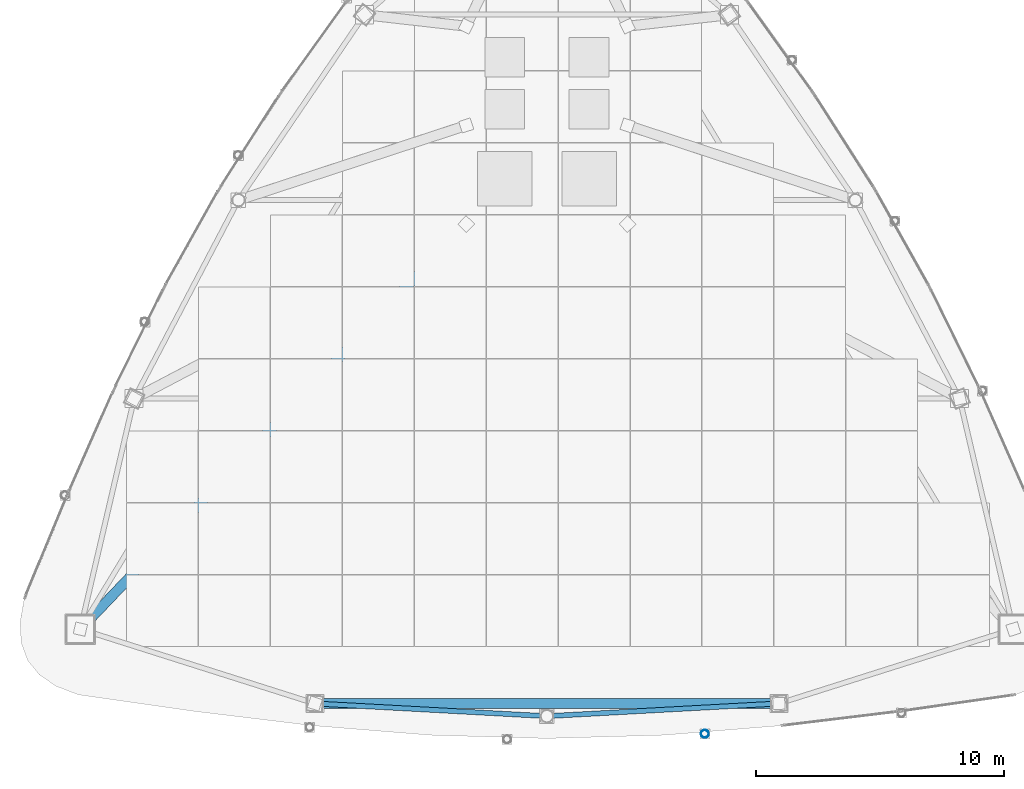
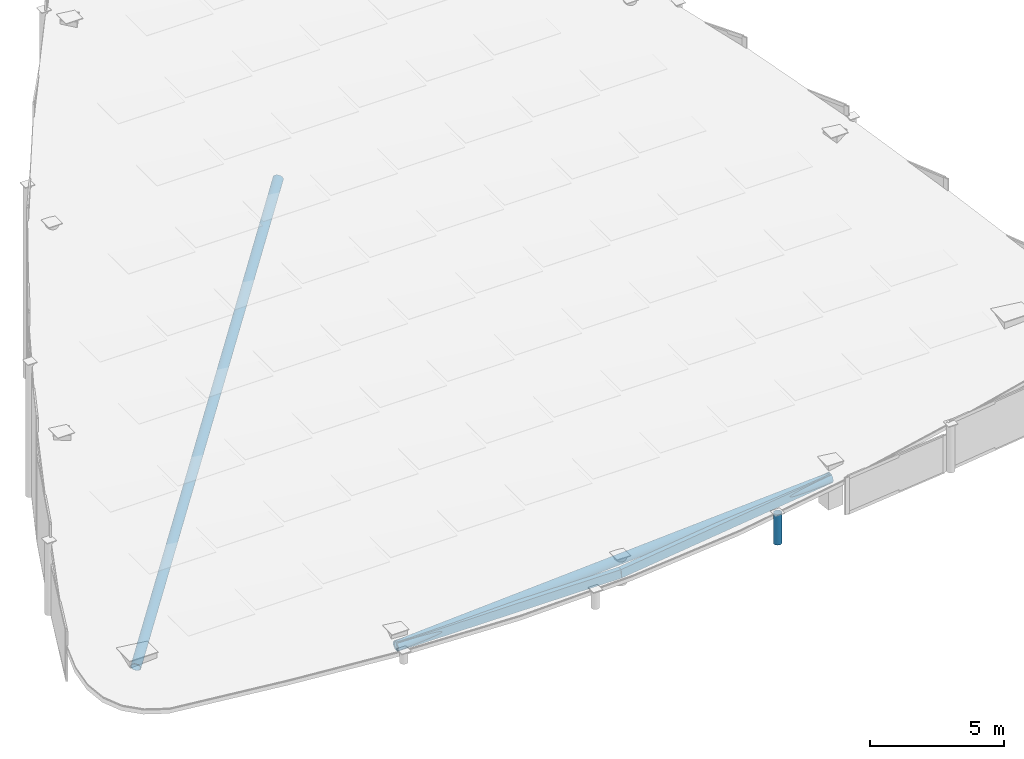
# One storey, part 3 of 21: 5 members.
"""IFC4 building model written with IfcOpenShell, lengths in metres."""

from ifc_helpers import new_model, si_unit, direction, frame, origin, origin_2d, place, context, subcontext, project, spatial, hollow_rectangle, hollow_circle, extrude, material, material_profile, profile_set, type_object, element, save


model = new_model("IFC4")

# Units and contexts
model_context = context("Model", 3, precision=1e-05, world=origin(), true_north=direction((0.0, 1.0)))
body_context = subcontext(model_context, "Body", "Model", "MODEL_VIEW")
ifc_project = project(units=[si_unit("LENGTHUNIT", "METRE"), si_unit("AREAUNIT", "SQUARE_METRE"), si_unit("VOLUMEUNIT", "CUBIC_METRE"), si_unit("PLANEANGLEUNIT", "RADIAN"), si_unit("MASSUNIT", "GRAM", prefix="KILO")], contexts=[model_context])

# Site, building, storey
site_placement = place(None, origin())
site = spatial("IfcSite", under=ifc_project, at=site_placement, CompositionType="ELEMENT")
building_placement = place(site_placement, origin())
building = spatial("IfcBuilding", under=site, at=building_placement, Name="Orvanel Arch Residences", CompositionType="ELEMENT")
storey_placement = place(building_placement, frame((0.0, 0.0, 314.89990234375)))
storey = spatial("IfcBuildingStorey", under=building, at=storey_placement, Name="RF", CompositionType="ELEMENT", Elevation=314.89990234375)

# Members
ifc_material = material(Name="Structural steel AS/NZS 1163 C350L0 (Grade 350)", Category="steel")
ifc_material_profile_1 = material_profile(ifc_material, hollow_rectangle(XDim=0.199951171875, YDim=0.39990234375, WallThickness=0.012451171875, at=origin_2d()), Name="RHS400x200x12.5")
ifc_profile_set_1 = profile_set([ifc_material_profile_1], Name="Structural steel AS/NZS 1163 C350L0 (Grade 350)")
member_type_1 = type_object("IfcMemberType", Name="RF-400RHS-EXT", PredefinedType="RAFTER", material=ifc_profile_set_1)
member_1_placement = place(storey_placement, frame((23.64892578125, 7.35498046875, 0.068115234375), z_axis=(0.997710766167, -0.054519571656, 0.040010540881), x_axis=(0.054563262768, 0.998510315598, 0.0)))
element("IfcMember", 1, at=member_1_placement, inside=storey, type_object=member_type_1, Name="RF Slanted Crown Outer Rim Rafter 04", PredefinedType="RAFTER", context=body_context, shape_type="SweptSolid", body=[
    extrude(hollow_rectangle(XDim=0.199951171875, YDim=0.39990234375, WallThickness=0.012451171875, at=origin_2d()), origin(), (0.0, 0.0, 1.0), 9.37255859375),
])
member_2_placement = place(storey_placement, frame((33.0, 6.843994140625, 0.443115234375), z_axis=(0.995348322813, 0.054390476728, 0.07951976053), x_axis=(-0.054563262768, 0.998510315598, 0.0)))
element("IfcMember", 2, at=member_2_placement, inside=storey, type_object=member_type_1, Name="RF Slanted Crown Outer Rim Rafter 05", PredefinedType="RAFTER", context=body_context, shape_type="SweptSolid", body=[
    extrude(hollow_rectangle(XDim=0.199951171875, YDim=0.39990234375, WallThickness=0.012451171875, at=origin_2d()), origin(), (0.0, 0.0, 1.0), 9.394775390625),
])
ifc_material_profile_2 = material_profile(ifc_material, hollow_circle(Radius=0.202880859375, WallThickness=0.01611328125, at=origin_2d()), Name="CHS406x16")
ifc_profile_set_2 = profile_set([ifc_material_profile_2], Name="Structural steel AS/NZS 1163 C350L0 (Grade 350)")
member_type_2 = type_object("IfcMemberType", Name="RF-406CHS-EXT", PredefinedType="RAFTER", material=ifc_profile_set_2)
member_3_placement = place(storey_placement, frame((29.75, 26.675048828125, 7.486083984375), z_axis=(-0.659634597082, -0.69242111975, -0.292292988722), x_axis=(0.724040838766, -0.689757104929, 0.0)))
element("IfcMember", 3, at=member_3_placement, inside=storey, type_object=member_type_2, Name="RF Slanted Crown Structural Soffit Rafter 06", PredefinedType="RAFTER", context=body_context, shape_type="SweptSolid", body=[
    extrude(hollow_circle(Radius=0.202880859375, WallThickness=0.01611328125, at=origin_2d()), origin(), (0.0, 0.0, 1.0), 23.5751953125),
])
member_4_placement = place(storey_placement, frame((23.64892578125, 7.35498046875, 0.068115234375), z_axis=(0.99820503243, 0.0, 0.059889174574), x_axis=(0.0, 1.0, 0.0)))
element("IfcMember", 4, at=member_4_placement, inside=storey, type_object=member_type_2, Name="RF Slanted Crown Structural Soffit Rafter 10", PredefinedType="RAFTER", context=body_context, shape_type="SweptSolid", body=[
    extrude(hollow_circle(Radius=0.202880859375, WallThickness=0.01611328125, at=origin_2d()), origin(), (0.0, 0.0, 1.0), 18.73583984375),
])
ifc_material_profile_3 = material_profile(ifc_material, hollow_circle(Radius=0.162109375, WallThickness=0.0126953125, at=origin_2d()), Name="CHS324x12.7")
ifc_profile_set_3 = profile_set([ifc_material_profile_3], Name="Structural steel AS/NZS 1163 C350L0 (Grade 350)")
member_type_3 = type_object("IfcMemberType", Name="ST-324CHS-EXT", PredefinedType="STRUT", material=ifc_profile_set_3)
member_5_placement = place(storey_placement, frame((39.366943359375, 6.131103515625, 0.0), z_axis=(0.0, 0.0, 1.0), x_axis=(1.0, 0.0, 0.0)))
element("IfcMember", 5, at=member_5_placement, inside=storey, type_object=member_type_3, Name="RF Crown Outer Perimeter Frame Post 07", PredefinedType="STRUT", context=body_context, shape_type="SweptSolid", body=[
    extrude(hollow_circle(Radius=0.162109375, WallThickness=0.0126953125, at=origin_2d()), origin(), (0.0, 0.0, 1.0), 1.384033203125),
])

save(model, "model.ifc")
